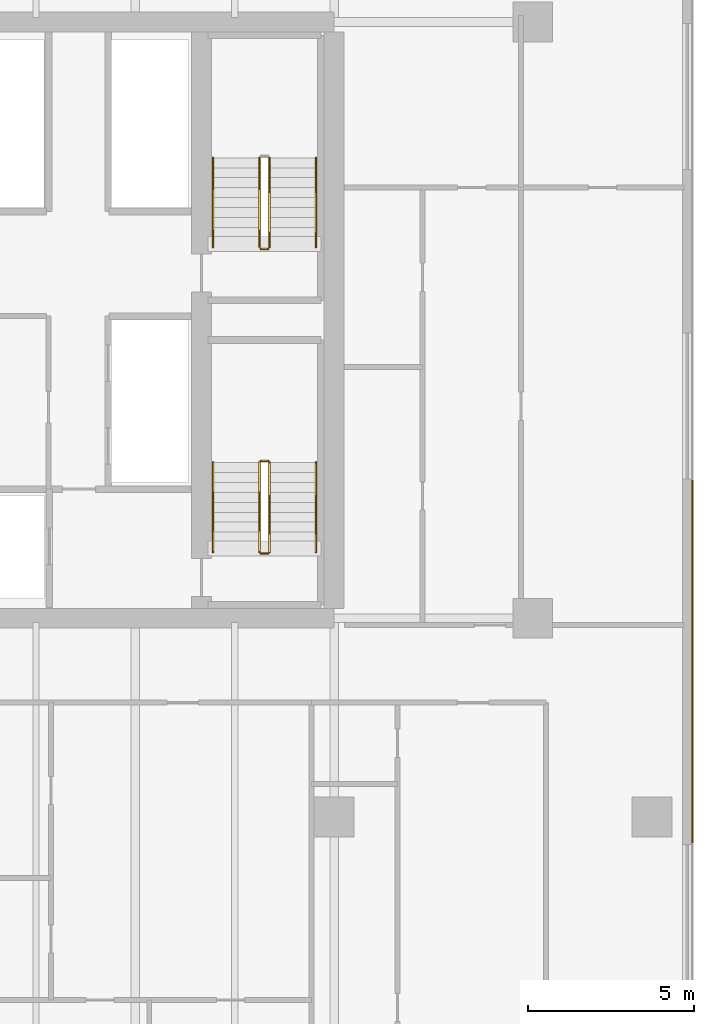
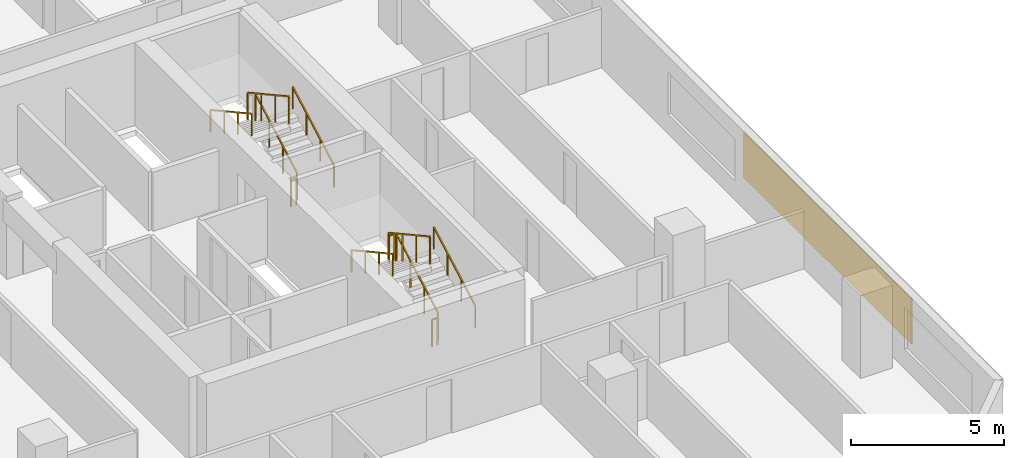
# One storey, part 23 of 25: 11 railings, 1 covering.
"""IFC4 building model written with IfcOpenShell, lengths in metres."""

from ifc_helpers import new_model, si_unit, direction, frame, origin, origin_2d, place, context, subcontext, project, spatial, rectangle, extrude, material, layer, layer_set, type_object, element, save


model = new_model("IFC4")

# Units and contexts
model_context = context("Model", 3, precision=1e-05, world=origin(), true_north=direction((0.0, 1.0)))
body_context = subcontext(model_context, "Body", "Model", "MODEL_VIEW")
ifc_project = project(units=[si_unit("LENGTHUNIT", "METRE"), si_unit("AREAUNIT", "SQUARE_METRE"), si_unit("VOLUMEUNIT", "CUBIC_METRE"), si_unit("PLANEANGLEUNIT", "RADIAN"), si_unit("MASSUNIT", "GRAM", prefix="KILO")], contexts=[model_context])

# Site, building, storey
site_placement = place(None, origin())
site = spatial("IfcSite", under=ifc_project, at=site_placement, CompositionType="ELEMENT")
building_placement = place(site_placement, origin())
building = spatial("IfcBuilding", under=site, at=building_placement, Name="Tanjung Sevakor Pilgrim Tower", CompositionType="ELEMENT")
storey_placement = place(building_placement, frame((0.0, 0.0, 42.239990234375)))
storey = spatial("IfcBuildingStorey", under=building, at=storey_placement, Name="L11", CompositionType="ELEMENT", Elevation=42.239990234375)

# Covering
ifc_material_1 = material(Name="Reconstructed Limestone Cladding", Category="masonry")
ifc_layer = layer(ifc_material_1, 0.044921875)
ifc_layer_set = layer_set([ifc_layer], Name="COV-CLAD-LIMESTONE")
covering_type = type_object("IfcCoveringType", Name="COV-CLAD-LIMESTONE", PredefinedType="CLADDING", material=ifc_layer_set)
covering_placement = place(storey_placement, frame((100.822509765625, 23.28955078125, 0.85009765625), z_axis=(0.0, 0.0, 1.0), x_axis=(0.0, 1.0, 0.0)))
element("IfcCovering", 1, at=covering_placement, inside=storey, type_object=covering_type, Name="L11 Warm Limestone Pier Panel EW-L11-MAIN-7-1", PredefinedType="CLADDING", context=body_context, shape_type="SweptSolid", body=[
    extrude(rectangle(XDim=10.94091796875, YDim=0.044921875, at=origin_2d()), origin(), (0.0, 0.0, 1.0), 1.81005859375),
])

# Railings
ifc_material_2 = material(Name="Steel S355J2", Category="steel")
railing_type_1 = type_object("IfcRailingType", Name="RL-STAIR-GUARD", PredefinedType="GUARDRAIL", material=ifc_material_2)
railing_1_placement = place(storey_placement, frame((88.050048828125, 26.60009765625, 0.1650390625)))
element("IfcRailing", 2, at=railing_1_placement, inside=storey, type_object=railing_type_1, Name="L11 TS-E1 stair guard 1", PredefinedType="GUARDRAIL", context=body_context, shape_type="SweptSolid", body=[
    extrude(rectangle(XDim=0.0479, YDim=0.0479), frame((0.0, 0.0, 1.076171875), z_axis=(0.0, 0.876230963923, 0.481891375584), x_axis=(-1.0, 0.0, 0.0)), (0.0, 0.0, 1.0), 3.081298828125),
    extrude(rectangle(XDim=0.042, YDim=0.042), origin(), (0.0, 0.0, 1.0), 1.052001953125),
    extrude(rectangle(XDim=0.042, YDim=0.042), frame((0.0, 0.89990234375, 0.494873046875)), (0.0, 0.0, 1.0), 1.052001953125),
    extrude(rectangle(XDim=0.042, YDim=0.042), frame((0.0, 1.800048828125, 0.989990234375)), (0.0, 0.0, 1.0), 1.052001953125),
    extrude(rectangle(XDim=0.042, YDim=0.042), frame((0.0, 2.699951171875, 1.48486328125)), (0.0, 0.0, 1.0), 1.052001953125),
])
railing_2_placement = place(storey_placement, frame((88.0, 29.35009765625, 1.64990234375)))
element("IfcRailing", 3, at=railing_2_placement, inside=storey, type_object=railing_type_1, Name="L11 TS-E1 stair guard 2", PredefinedType="GUARDRAIL", context=body_context, shape_type="SweptSolid", body=[
    extrude(rectangle(XDim=0.0479, YDim=0.0479), frame((0.0, 0.0, 1.076171875), z_axis=(-1.0, 0.0, 0.0), x_axis=(0.0, -1.0, 0.0)), (0.0, 0.0, 1.0), 0.199951171875),
    extrude(rectangle(XDim=0.042, YDim=0.042), origin(), (0.0, 0.0, 1.0), 1.052001953125),
    extrude(rectangle(XDim=0.042, YDim=0.042), frame((-0.199951171875, 0.0, 0.0)), (0.0, 0.0, 1.0), 1.052001953125),
])
railing_3_placement = place(storey_placement, frame((87.75, 29.300048828125, 1.81494140625)))
element("IfcRailing", 4, at=railing_3_placement, inside=storey, type_object=railing_type_1, Name="L11 TS-E1 stair guard 3", PredefinedType="GUARDRAIL", context=body_context, shape_type="SweptSolid", body=[
    extrude(rectangle(XDim=0.0479, YDim=0.0479), frame((0.0, 0.0, 1.076171875), z_axis=(0.0, -0.876197507361, 0.481952205197), x_axis=(1.0, 0.0, 0.0)), (0.0, 0.0, 1.0), 3.08154296875),
    extrude(rectangle(XDim=0.042, YDim=0.042), origin(), (0.0, 0.0, 1.0), 1.052001953125),
    extrude(rectangle(XDim=0.042, YDim=0.042), frame((0.0, -0.89990234375, 0.4951171875)), (0.0, 0.0, 1.0), 1.052001953125),
    extrude(rectangle(XDim=0.042, YDim=0.042), frame((0.0, -1.800048828125, 0.989990234375)), (0.0, 0.0, 1.0), 1.052001953125),
    extrude(rectangle(XDim=0.042, YDim=0.042), frame((0.0, -2.699951171875, 1.485107421875)), (0.0, 0.0, 1.0), 1.052001953125),
])
railing_4_placement = place(storey_placement, frame((88.0, 26.550048828125, 0.0)))
element("IfcRailing", 5, at=railing_4_placement, inside=storey, type_object=railing_type_1, Name="L11 TS-E1 stair guard 4", PredefinedType="GUARDRAIL", context=body_context, shape_type="SweptSolid", body=[
    extrude(rectangle(XDim=0.0479, YDim=0.0479), frame((0.0, 0.0, 1.076171875), z_axis=(-1.0, 0.0, 0.0), x_axis=(0.0, -1.0, 0.0)), (0.0, 0.0, 1.0), 0.199951171875),
    extrude(rectangle(XDim=0.042, YDim=0.042), origin(), (0.0, 0.0, 1.0), 1.052001953125),
    extrude(rectangle(XDim=0.042, YDim=0.042), frame((-0.199951171875, 0.0, 0.0)), (0.0, 0.0, 1.0), 1.052001953125),
])
railing_5_placement = place(storey_placement, frame((88.050048828125, 35.800048828125, 0.1650390625)))
element("IfcRailing", 6, at=railing_5_placement, inside=storey, type_object=railing_type_1, Name="L11 TS-E2 stair guard 1", PredefinedType="GUARDRAIL", context=body_context, shape_type="SweptSolid", body=[
    extrude(rectangle(XDim=0.0479, YDim=0.0479), frame((0.0, 0.0, 1.076171875), z_axis=(0.0, 0.876230963923, 0.481891375584), x_axis=(-1.0, 0.0, 0.0)), (0.0, 0.0, 1.0), 3.081298828125),
    extrude(rectangle(XDim=0.042, YDim=0.042), origin(), (0.0, 0.0, 1.0), 1.052001953125),
    extrude(rectangle(XDim=0.042, YDim=0.042), frame((0.0, 0.89990234375, 0.494873046875)), (0.0, 0.0, 1.0), 1.052001953125),
    extrude(rectangle(XDim=0.042, YDim=0.042), frame((0.0, 1.800048828125, 0.989990234375)), (0.0, 0.0, 1.0), 1.052001953125),
    extrude(rectangle(XDim=0.042, YDim=0.042), frame((0.0, 2.699951171875, 1.48486328125)), (0.0, 0.0, 1.0), 1.052001953125),
])
railing_6_placement = place(storey_placement, frame((87.75, 38.5, 1.81494140625)))
element("IfcRailing", 7, at=railing_6_placement, inside=storey, type_object=railing_type_1, Name="L11 TS-E2 stair guard 3", PredefinedType="GUARDRAIL", context=body_context, shape_type="SweptSolid", body=[
    extrude(rectangle(XDim=0.0479, YDim=0.0479), frame((0.0, 0.0, 1.076171875), z_axis=(0.0, -0.876197507361, 0.481952205197), x_axis=(1.0, 0.0, 0.0)), (0.0, 0.0, 1.0), 3.08154296875),
    extrude(rectangle(XDim=0.042, YDim=0.042), origin(), (0.0, 0.0, 1.0), 1.052001953125),
    extrude(rectangle(XDim=0.042, YDim=0.042), frame((0.0, -0.89990234375, 0.4951171875)), (0.0, 0.0, 1.0), 1.052001953125),
    extrude(rectangle(XDim=0.042, YDim=0.042), frame((0.0, -1.800048828125, 0.989990234375)), (0.0, 0.0, 1.0), 1.052001953125),
    extrude(rectangle(XDim=0.042, YDim=0.042), frame((0.0, -2.699951171875, 1.485107421875)), (0.0, 0.0, 1.0), 1.052001953125),
])
railing_7_placement = place(storey_placement, frame((88.0, 35.75, 0.0)))
element("IfcRailing", 8, at=railing_7_placement, inside=storey, type_object=railing_type_1, Name="L11 TS-E2 stair guard 4", PredefinedType="GUARDRAIL", context=body_context, shape_type="SweptSolid", body=[
    extrude(rectangle(XDim=0.0479, YDim=0.0479), frame((0.0, 0.0, 1.076171875), z_axis=(-1.0, 0.0, 0.0), x_axis=(0.0, -1.0, 0.0)), (0.0, 0.0, 1.0), 0.199951171875),
    extrude(rectangle(XDim=0.042, YDim=0.042), origin(), (0.0, 0.0, 1.0), 1.052001953125),
    extrude(rectangle(XDim=0.042, YDim=0.042), frame((-0.199951171875, 0.0, 0.0)), (0.0, 0.0, 1.0), 1.052001953125),
])
ifc_material_3 = material(Name="Steel S355J2", Category="steel")
railing_type_2 = type_object("IfcRailingType", Name="RL-STAIR-HAND", PredefinedType="HANDRAIL", material=ifc_material_3)
railing_8_placement = place(storey_placement, frame((89.449951171875, 26.60009765625, 0.1650390625)))
element("IfcRailing", 9, at=railing_8_placement, inside=storey, type_object=railing_type_2, Name="L11 TS-E1 stair handrail 1", PredefinedType="HANDRAIL", context=body_context, shape_type="SweptSolid", body=[
    extrude(rectangle(XDim=0.0479, YDim=0.0479), frame((0.0, 0.0, 0.8759765625), z_axis=(0.0, 0.876230963923, 0.481891375584), x_axis=(-1.0, 0.0, 0.0)), (0.0, 0.0, 1.0), 3.081298828125),
    extrude(rectangle(XDim=0.042, YDim=0.042), origin(), (0.0, 0.0, 1.0), 0.851806640625),
    extrude(rectangle(XDim=0.042, YDim=0.042), frame((0.0, 0.89990234375, 0.494873046875)), (0.0, 0.0, 1.0), 0.851806640625),
    extrude(rectangle(XDim=0.042, YDim=0.042), frame((0.0, 1.800048828125, 0.989990234375)), (0.0, 0.0, 1.0), 0.851806640625),
    extrude(rectangle(XDim=0.042, YDim=0.042), frame((0.0, 2.699951171875, 1.48486328125)), (0.0, 0.0, 1.0), 0.851806640625),
])
railing_9_placement = place(storey_placement, frame((86.35009765625, 29.300048828125, 1.81494140625)))
element("IfcRailing", 10, at=railing_9_placement, inside=storey, type_object=railing_type_2, Name="L11 TS-E1 stair handrail 2", PredefinedType="HANDRAIL", context=body_context, shape_type="SweptSolid", body=[
    extrude(rectangle(XDim=0.0479, YDim=0.0479), frame((0.0, 0.0, 0.8759765625), z_axis=(0.0, -0.876197507361, 0.481952205197), x_axis=(1.0, 0.0, 0.0)), (0.0, 0.0, 1.0), 3.08154296875),
    extrude(rectangle(XDim=0.042, YDim=0.042), origin(), (0.0, 0.0, 1.0), 0.851806640625),
    extrude(rectangle(XDim=0.042, YDim=0.042), frame((0.0, -0.89990234375, 0.4951171875)), (0.0, 0.0, 1.0), 0.851806640625),
    extrude(rectangle(XDim=0.042, YDim=0.042), frame((0.0, -1.800048828125, 0.989990234375)), (0.0, 0.0, 1.0), 0.851806640625),
    extrude(rectangle(XDim=0.042, YDim=0.042), frame((0.0, -2.699951171875, 1.485107421875)), (0.0, 0.0, 1.0), 0.851806640625),
])
railing_10_placement = place(storey_placement, frame((89.449951171875, 35.800048828125, 0.1650390625)))
element("IfcRailing", 11, at=railing_10_placement, inside=storey, type_object=railing_type_2, Name="L11 TS-E2 stair handrail 1", PredefinedType="HANDRAIL", context=body_context, shape_type="SweptSolid", body=[
    extrude(rectangle(XDim=0.0479, YDim=0.0479), frame((0.0, 0.0, 0.8759765625), z_axis=(0.0, 0.876230963923, 0.481891375584), x_axis=(-1.0, 0.0, 0.0)), (0.0, 0.0, 1.0), 3.081298828125),
    extrude(rectangle(XDim=0.042, YDim=0.042), origin(), (0.0, 0.0, 1.0), 0.851806640625),
    extrude(rectangle(XDim=0.042, YDim=0.042), frame((0.0, 0.89990234375, 0.494873046875)), (0.0, 0.0, 1.0), 0.851806640625),
    extrude(rectangle(XDim=0.042, YDim=0.042), frame((0.0, 1.800048828125, 0.989990234375)), (0.0, 0.0, 1.0), 0.851806640625),
    extrude(rectangle(XDim=0.042, YDim=0.042), frame((0.0, 2.699951171875, 1.48486328125)), (0.0, 0.0, 1.0), 0.851806640625),
])
railing_11_placement = place(storey_placement, frame((86.35009765625, 38.5, 1.81494140625)))
element("IfcRailing", 12, at=railing_11_placement, inside=storey, type_object=railing_type_2, Name="L11 TS-E2 stair handrail 2", PredefinedType="HANDRAIL", context=body_context, shape_type="SweptSolid", body=[
    extrude(rectangle(XDim=0.0479, YDim=0.0479), frame((0.0, 0.0, 0.8759765625), z_axis=(0.0, -0.876197507361, 0.481952205197), x_axis=(1.0, 0.0, 0.0)), (0.0, 0.0, 1.0), 3.08154296875),
    extrude(rectangle(XDim=0.042, YDim=0.042), origin(), (0.0, 0.0, 1.0), 0.851806640625),
    extrude(rectangle(XDim=0.042, YDim=0.042), frame((0.0, -0.89990234375, 0.4951171875)), (0.0, 0.0, 1.0), 0.851806640625),
    extrude(rectangle(XDim=0.042, YDim=0.042), frame((0.0, -1.800048828125, 0.989990234375)), (0.0, 0.0, 1.0), 0.851806640625),
    extrude(rectangle(XDim=0.042, YDim=0.042), frame((0.0, -2.699951171875, 1.485107421875)), (0.0, 0.0, 1.0), 0.851806640625),
])

save(model, "model.ifc")
